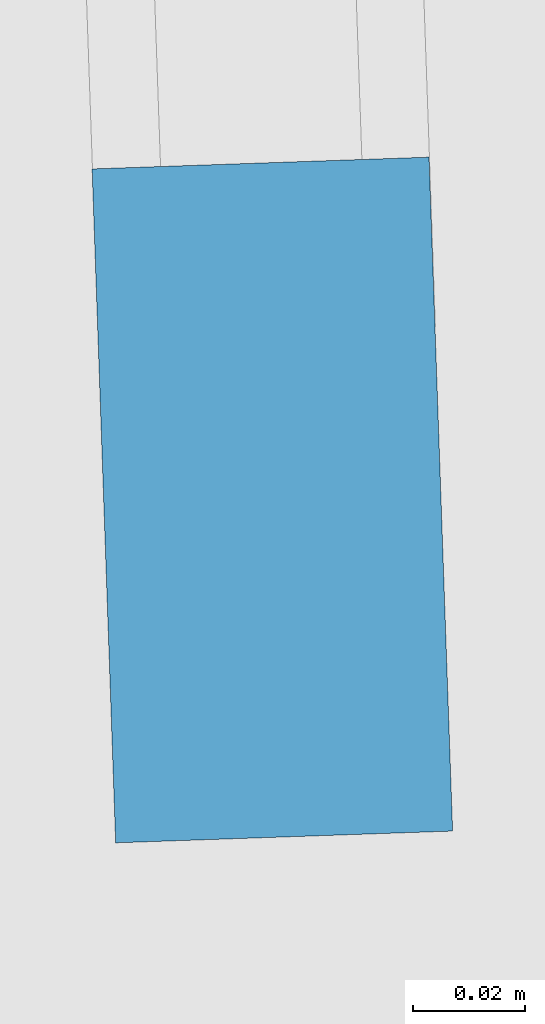
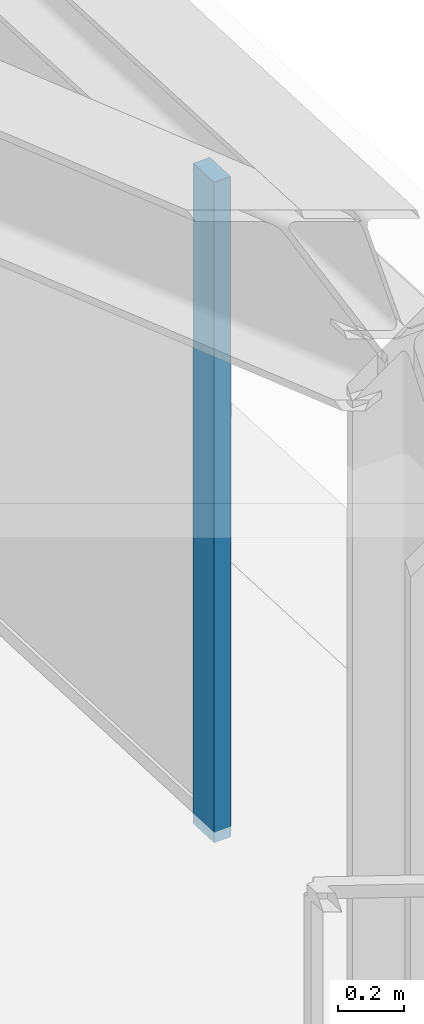
# One storey, part 6 of 13: 1 member, 1 element without a shape of its own.
"""IFC4 building model written with IfcOpenShell, lengths in metres."""

from ifc_helpers import new_model, si_unit, direction, frame, origin, origin_2d, place, context, subcontext, project, spatial, rectangle, extrude, material, layer, layer_set, material_profile, profile_set, type_object, element, aggregate, save


model = new_model("IFC4")

# Units and contexts
model_context = context("Model", 3, precision=1e-05, world=origin(), true_north=direction((0.0, 1.0)))
body_context = subcontext(model_context, "Body", "Model", "MODEL_VIEW")
ifc_project = project(units=[si_unit("LENGTHUNIT", "METRE"), si_unit("AREAUNIT", "SQUARE_METRE"), si_unit("VOLUMEUNIT", "CUBIC_METRE"), si_unit("PLANEANGLEUNIT", "RADIAN"), si_unit("MASSUNIT", "GRAM", prefix="KILO")], contexts=[model_context])

# Site, building, storey
site_placement = place(None, origin())
site = spatial("IfcSite", under=ifc_project, at=site_placement, CompositionType="ELEMENT")
building_placement = place(site_placement, origin())
building = spatial("IfcBuilding", under=site, at=building_placement, Name="Rocaltana Carrier Exchange", CompositionType="ELEMENT")
storey_placement = place(building_placement, frame((0.0, 0.0, 199.679931640625)))
storey = spatial("IfcBuildingStorey", under=building, at=storey_placement, Name="L63", CompositionType="ELEMENT", Elevation=199.679931640625)

# Curtain wall, member
ifc_material_1 = material(Name="Aluminium 6063-T6", Category="aluminium")
ifc_layer = layer(ifc_material_1, 0.1201171875)
ifc_layer_set = layer_set([ifc_layer], Name="Aluminium 6063-T6")
curtain_wall_type = type_object("IfcCurtainWallType", Name="High-Altitude Thermal Curtain Wall CW-05", PredefinedType="NOTDEFINED", material=ifc_layer_set)
curtain_wall_placement = place(storey_placement, origin())
curtain_wall = element("IfcCurtainWall", 1, at=curtain_wall_placement, inside=storey, type_object=curtain_wall_type, Name="L63 CW-05 Run CW-L63-F1S1", PredefinedType="NOTDEFINED")
ifc_material_2 = material(Name="Aluminium 6063-T6", Category="aluminium")
ifc_material_profile = material_profile(ifc_material_2, rectangle(XDim=0.06005859375, YDim=0.1201171875, at=origin_2d()), Name="AL-60X120")
ifc_profile_set = profile_set([ifc_material_profile], Name="Aluminium 6063-T6")
member_type = type_object("IfcMemberType", Name="CW-05 Mullion AL-60X120", PredefinedType="MULLION", material=ifc_profile_set)
member_placement = place(storey_placement, frame((11.421630859375, -15.480712890625, 0.0), z_axis=(0.0, 0.0, 1.0), x_axis=(-0.999390315991, -0.034914127567, 0.0)))
member = element("IfcMember", 2, at=member_placement, type_object=member_type, Name="CW-05 mullion 1", PredefinedType="MULLION", context=body_context, shape_type="SweptSolid", body=[
    extrude(rectangle(XDim=0.06005859375, YDim=0.1201171875, at=origin_2d()), origin(), (0.0, 0.0, 1.0), 2.447998046875),
])
aggregate(curtain_wall, [member])

save(model, "model.ifc")
